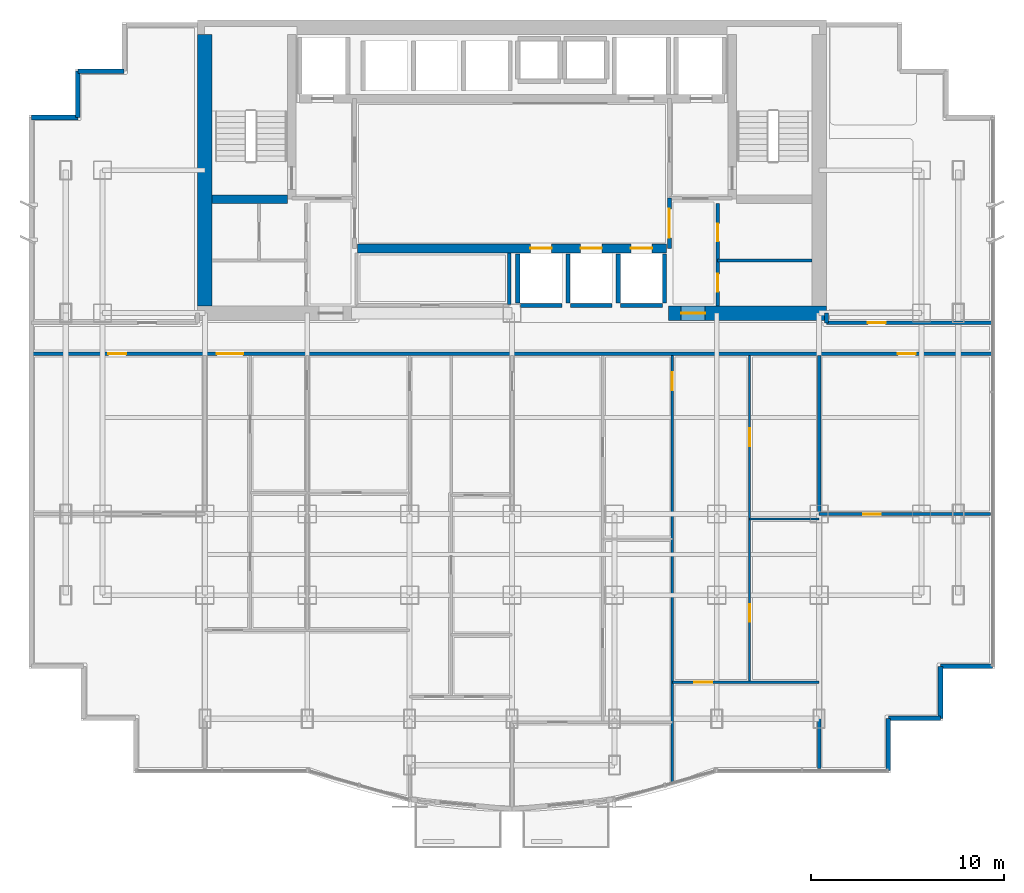
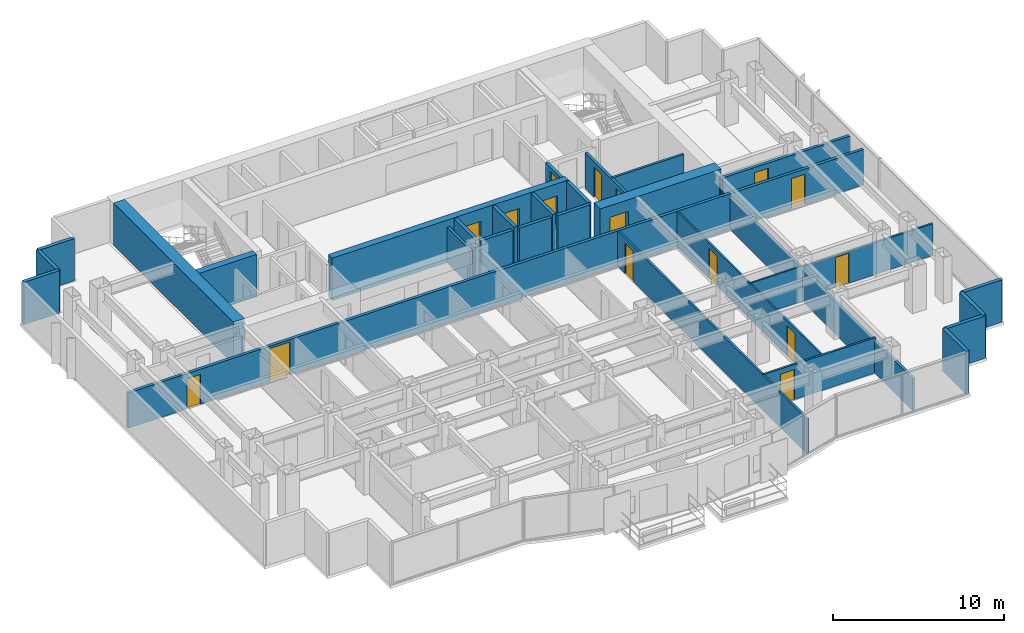
# One storey, part 8 of 11: 31 walls, 16 doors, 16 openings.
"""IFC4 building model written with IfcOpenShell, lengths in metres."""

from ifc_helpers import new_model, si_unit, direction, frame, frame_2d, origin, place, context, subcontext, project, spatial, rectangle, extrude, material, layer, layer_set, type_object, element, fill, save


model = new_model("IFC4")

# Units and contexts
model_context = context("Model", 3, precision=1e-05, world=origin(), true_north=direction((0.0, 1.0)))
body_context = subcontext(model_context, "Body", "Model", "MODEL_VIEW")
ifc_project = project(units=[si_unit("LENGTHUNIT", "METRE"), si_unit("AREAUNIT", "SQUARE_METRE"), si_unit("VOLUMEUNIT", "CUBIC_METRE"), si_unit("PLANEANGLEUNIT", "RADIAN"), si_unit("MASSUNIT", "GRAM", prefix="KILO")], contexts=[model_context])

# Site, building, storey
site_placement = place(None, origin())
site = spatial("IfcSite", under=ifc_project, at=site_placement, CompositionType="ELEMENT")
building_placement = place(site_placement, origin())
building = spatial("IfcBuilding", under=site, at=building_placement, Name="Qianlan Lanfeng Residences", CompositionType="ELEMENT")
storey_placement = place(building_placement, frame((0.0, 0.0, 124.60009765625)))
storey = spatial("IfcBuildingStorey", under=building, at=storey_placement, Name="L34", CompositionType="ELEMENT", Elevation=124.60009765625)

# Wall
ifc_material_1 = material(Name="Concrete C60", Category="concrete")
ifc_layer_1 = layer(ifc_material_1, 0.449951171875)
ifc_layer_set_1 = layer_set([ifc_layer_1], Name="Concrete C60")
wall_type_1 = type_object("IfcWallType", Name="CW-RC-450", PredefinedType="SHEAR", material=ifc_layer_set_1)
wall_1_placement = place(storey_placement, frame((10.97509765625, 31.10009765625, 0.0), z_axis=(0.0, 0.0, 1.0), x_axis=(1.0, 0.0, 0.0)))
element("IfcWall", 1, at=wall_1_placement, inside=storey, type_object=wall_type_1, Name="L34 Core Shear Wall ST1S", PredefinedType="SHEAR", context=body_context, shape_type="SweptSolid", body=[
    extrude(rectangle(XDim=3.89990234375, YDim=0.449951171875, at=frame_2d((1.949951171875, 0.0))), origin(), (0.0, 0.0, 1.0), 3.02978515625),
])

# Wall, openings, doors
wall_2_placement = place(storey_placement, frame((18.5, 28.550048828125, 0.0), z_axis=(0.0, 0.0, 1.0), x_axis=(1.0, 0.0, 0.0)))
wall_2 = element("IfcWall", 2, at=wall_2_placement, inside=storey, type_object=wall_type_1, Name="L34 Core Shear Wall LBS", PredefinedType="SHEAR", context=body_context, shape_type="SweptSolid", body=[
    extrude(rectangle(XDim=16.0, YDim=0.449951171875, at=frame_2d((8.0, 0.0))), origin(), (0.0, 0.0, 1.0), 3.02978515625),
])
opening_1_placement = place(wall_2_placement, frame((8.949951171875, 0.0, 0.0)))
opening_1 = element("IfcOpeningElement", 3, at=opening_1_placement, cuts=wall_2, Name="Opening L34-LD-PL-M1", PredefinedType="OPENING", context=body_context, shape_type="SweptSolid", body=[
    extrude(rectangle(XDim=1.10009765625, YDim=2.14990234375, at=frame_2d((0.550048828125, 1.074951171875))), frame((0.0, 0.23486328125, 0.0), z_axis=(0.0, -1.0, 0.0), x_axis=(1.0, 0.0, 0.0)), (0.0, 0.0, 1.0), 0.469970703125),
])
opening_2_placement = place(wall_2_placement, frame((11.550048828125, 0.0, 0.0)))
opening_2 = element("IfcOpeningElement", 4, at=opening_2_placement, cuts=wall_2, Name="Opening L34-LD-PL-M2", PredefinedType="OPENING", context=body_context, shape_type="SweptSolid", body=[
    extrude(rectangle(XDim=1.10009765625, YDim=2.14990234375, at=frame_2d((0.550048828125, 1.074951171875))), frame((0.0, 0.23486328125, 0.0), z_axis=(0.0, -1.0, 0.0), x_axis=(1.0, 0.0, 0.0)), (0.0, 0.0, 1.0), 0.469970703125),
])
opening_3_placement = place(wall_2_placement, frame((14.14990234375, 0.0, 0.0)))
opening_3 = element("IfcOpeningElement", 5, at=opening_3_placement, cuts=wall_2, Name="Opening L34-LD-PL-M3", PredefinedType="OPENING", context=body_context, shape_type="SweptSolid", body=[
    extrude(rectangle(XDim=1.10009765625, YDim=2.14990234375, at=frame_2d((0.550048828125, 1.074951171875))), frame((0.0, 0.23486328125, 0.0), z_axis=(0.0, -1.0, 0.0), x_axis=(1.0, 0.0, 0.0)), (0.0, 0.0, 1.0), 0.469970703125),
])
ifc_material_2 = material(Name="Brushed Stainless Steel Sliding Lift Door", Category="steel")
door_type_1 = type_object("IfcDoorType", Name="LD-01", OperationType="NOTDEFINED", PredefinedType="DOOR", material=ifc_material_2)
door_1_placement = place(opening_1_placement, origin())
door_1 = element("IfcDoor", 6, at=door_1_placement, inside=storey, type_object=door_type_1, Name="L34 Elevator PL-M1 Sliding Landing Door", OperationType="DOUBLE_DOOR_SLIDING", OverallHeight=2.14990234375, OverallWidth=1.10009765625, PredefinedType="DOOR", context=body_context, shape_type="SweptSolid", body=[
    extrude(rectangle(XDim=1.10009765625, YDim=2.14990234375, at=frame_2d((0.550048828125, 1.074951171875))), frame((0.0, 0.02490234375, 0.0), z_axis=(0.0, -1.0, 0.0), x_axis=(1.0, 0.0, 0.0)), (0.0, 0.0, 1.0), 0.050048828125),
])
fill(opening_1, door_1)
door_2_placement = place(opening_2_placement, origin())
door_2 = element("IfcDoor", 7, at=door_2_placement, inside=storey, type_object=door_type_1, Name="L34 Elevator PL-M2 Sliding Landing Door", OperationType="DOUBLE_DOOR_SLIDING", OverallHeight=2.14990234375, OverallWidth=1.10009765625, PredefinedType="DOOR", context=body_context, shape_type="SweptSolid", body=[
    extrude(rectangle(XDim=1.10009765625, YDim=2.14990234375, at=frame_2d((0.550048828125, 1.074951171875))), frame((0.0, 0.02490234375, 0.0), z_axis=(0.0, -1.0, 0.0), x_axis=(1.0, 0.0, 0.0)), (0.0, 0.0, 1.0), 0.050048828125),
])
fill(opening_2, door_2)
door_3_placement = place(opening_3_placement, origin())
door_3 = element("IfcDoor", 8, at=door_3_placement, inside=storey, type_object=door_type_1, Name="L34 Elevator PL-M3 Sliding Landing Door", OperationType="DOUBLE_DOOR_SLIDING", OverallHeight=2.14990234375, OverallWidth=1.10009765625, PredefinedType="DOOR", context=body_context, shape_type="SweptSolid", body=[
    extrude(rectangle(XDim=1.10009765625, YDim=2.14990234375, at=frame_2d((0.550048828125, 1.074951171875))), frame((0.0, 0.02490234375, 0.0), z_axis=(0.0, -1.0, 0.0), x_axis=(1.0, 0.0, 0.0)), (0.0, 0.0, 1.0), 0.050048828125),
])
fill(opening_3, door_3)

# Wall
ifc_layer_2 = layer(ifc_material_1, 0.75)
ifc_layer_set_2 = layer_set([ifc_layer_2], Name="Concrete C60")
wall_type_2 = type_object("IfcWallType", Name="CW-RC-750", PredefinedType="SHEAR", material=ifc_layer_set_2)
wall_3_placement = place(storey_placement, frame((10.60009765625, 25.574951171875, 0.0), z_axis=(0.0, 0.0, 1.0), x_axis=(0.0, 1.0, 0.0)))
element("IfcWall", 9, at=wall_3_placement, inside=storey, type_object=wall_type_2, Name="L34 Core Shear Wall W", PredefinedType="SHEAR", context=body_context, shape_type="SweptSolid", body=[
    extrude(rectangle(XDim=14.050048828125, YDim=0.75, at=frame_2d((7.02490234375, 0.0))), origin(), (0.0, 0.0, 1.0), 3.02978515625),
])

# Wall, opening, door
wall_4_placement = place(storey_placement, frame((34.60009765625, 25.199951171875, 0.0), z_axis=(0.0, 0.0, 1.0), x_axis=(1.0, 0.0, 0.0)))
wall_4 = element("IfcWall", 10, at=wall_4_placement, inside=storey, type_object=wall_type_2, Name="L34 Core Shear Wall SE", PredefinedType="SHEAR", context=body_context, shape_type="SweptSolid", body=[
    extrude(rectangle(XDim=8.1748046875, YDim=0.75, at=frame_2d((4.08740234375, 0.0))), origin(), (0.0, 0.0, 1.0), 3.02978515625),
])
opening_4_placement = place(wall_4_placement, frame((0.64990234375, 0.0, 0.0)))
opening_4 = element("IfcOpeningElement", 11, at=opening_4_placement, cuts=wall_4, Name="Opening L34-D02", PredefinedType="OPENING", context=body_context, shape_type="SweptSolid", body=[
    extrude(rectangle(XDim=1.25, YDim=2.199951171875, at=frame_2d((0.625, 1.10009765625))), frame((0.0, 0.385009765625, 0.0), z_axis=(0.0, -1.0, 0.0), x_axis=(1.0, 0.0, 0.0)), (0.0, 0.0, 1.0), 0.77001953125),
])
ifc_material_3 = material(Name="Painted Galvanised Steel Fire Door", Category="steel")
door_type_2 = type_object("IfcDoorType", Name="DT-FFL", OperationType="NOTDEFINED", PredefinedType="DOOR", material=ifc_material_3)
door_4_placement = place(opening_4_placement, frame((1.25, 0.0, 0.0), z_axis=(0.0, 0.0, 1.0), x_axis=(-1.0, 0.0, 0.0)))
door_4 = element("IfcDoor", 12, at=door_4_placement, inside=storey, type_object=door_type_2, Name="L34 East Core Lobby Smoke Door L34-D02 (DT-FFL)", OperationType="SINGLE_SWING_LEFT", OverallHeight=2.199951171875, OverallWidth=1.25, PredefinedType="DOOR", context=body_context, shape_type="SweptSolid", body=[
    extrude(rectangle(XDim=1.25, YDim=2.199951171875, at=frame_2d((0.625, 1.10009765625))), frame((0.0, 0.02490234375, 0.0), z_axis=(0.0, -1.0, 0.0), x_axis=(1.0, 0.0, 0.0)), (0.0, 0.0, 1.0), 0.050048828125),
])
fill(opening_4, door_4)

# Walls
ifc_material_4 = material(Name="Concrete C42", Category="concrete")
ifc_layer_3 = layer(ifc_material_4, 0.239990234375)
ifc_layer_set_3 = layer_set([ifc_layer_3], Name="Concrete C42")
wall_type_3 = type_object("IfcWallType", Name="EW-240", PredefinedType="SOLIDWALL", material=ifc_layer_set_3)
for number, where, z_axis, x_axis, name in (
    (13, (45.97998046875, 1.52001953125, 0.0), (0.0, 0.0, 1.0), (0.0, 1.0, 0.0), "L34 Exterior Facade Spandrel Wall 7"),
    (14, (45.97998046875, 4.219970703125, 0.0), (0.0, 0.0, 1.0), (1.0, 0.0, 0.0), "L34 Exterior Facade Spandrel Wall 8"),
    (15, (48.679931640625, 4.219970703125, 0.0), (0.0, 0.0, 1.0), (0.0, 1.0, 0.0), "L34 Exterior Facade Spandrel Wall 9"),
    (16, (48.679931640625, 6.919921875, 0.0), (0.0, 0.0, 1.0), (1.0, 0.0, 0.0), "L34 Exterior Facade Spandrel Wall 10"),
):
    element("IfcWall", number, at=place(storey_placement, frame(where, z_axis=z_axis, x_axis=x_axis)), inside=storey, type_object=wall_type_3, Name=name, PredefinedType="SOLIDWALL", context=body_context, shape_type="SweptSolid", body=[
        extrude(rectangle(XDim=2.699951171875, YDim=0.239990234375, at=frame_2d((1.35009765625, 0.0))), origin(), (0.0, 0.0, 1.0), 3.02978515625),
    ])
for number, where, z_axis, x_axis, name in (
    (17, (6.419921875, 37.72998046875, 0.0), (0.0, 0.0, 1.0), (-1.0, 0.0, 0.0), "L34 Exterior Facade Spandrel Wall 18"),
    (18, (4.02001953125, 37.72998046875, 0.0), (0.0, 0.0, 1.0), (0.0, -1.0, 0.0), "L34 Exterior Facade Spandrel Wall 19"),
    (19, (4.02001953125, 35.330078125, 0.0), (0.0, 0.0, 1.0), (-1.0, 0.0, 0.0), "L34 Exterior Facade Spandrel Wall 20"),
):
    element("IfcWall", number, at=place(storey_placement, frame(where, z_axis=z_axis, x_axis=x_axis)), inside=storey, type_object=wall_type_3, Name=name, PredefinedType="SOLIDWALL", context=body_context, shape_type="SweptSolid", body=[
        extrude(rectangle(XDim=2.39990234375, YDim=0.239990234375, at=frame_2d((1.199951171875, 0.0))), origin(), (0.0, 0.0, 1.0), 3.02978515625),
    ])

# Wall, openings, doors
ifc_material_5 = material(Name="Demountable Acoustic Framing Partition 110 mm")
ifc_layer_4 = layer(ifc_material_5, 0.110107421875)
ifc_layer_set_4 = layer_set([ifc_layer_4], Name="Demountable Acoustic Framing Partition 110 mm")
wall_type_4 = type_object("IfcWallType", Name="PW-110", PredefinedType="MOVABLE", material=ifc_layer_set_4)
wall_5_placement = place(storey_placement, frame((38.800048828125, 6.093994140625, 0.0), z_axis=(0.0, 0.0, 1.0), x_axis=(0.0, 1.0, 0.0)))
wall_5 = element("IfcWall", 20, at=wall_5_placement, inside=storey, type_object=wall_type_4, Name="L34 U01 Bedroom 4 Hall Wall", PredefinedType="MOVABLE", context=body_context, shape_type="SweptSolid", body=[
    extrude(rectangle(XDim=16.906005859375, YDim=0.110107421875, at=frame_2d((8.453125, 0.0))), origin(), (0.0, 0.0, 1.0), 2.52001953125),
])
opening_5_placement = place(wall_5_placement, frame((3.116943359375, 0.0, 0.0)))
opening_5 = element("IfcOpeningElement", 21, at=opening_5_placement, cuts=wall_5, Name="Opening L34-D34", PredefinedType="OPENING", context=body_context, shape_type="SweptSolid", body=[
    extrude(rectangle(XDim=0.919921875, YDim=2.14990234375, at=frame_2d((0.4599609375, 1.074951171875))), frame((0.0, 0.06494140625, 0.0), z_axis=(0.0, -1.0, 0.0), x_axis=(1.0, 0.0, 0.0)), (0.0, 0.0, 1.0), 0.130126953125),
])
opening_6_placement = place(wall_5_placement, frame((12.219970703125, 0.0, 0.0)))
opening_6 = element("IfcOpeningElement", 22, at=opening_6_placement, cuts=wall_5, Name="Opening L34-D35", PredefinedType="OPENING", context=body_context, shape_type="SweptSolid", body=[
    extrude(rectangle(XDim=0.919921875, YDim=2.14990234375, at=frame_2d((0.4599609375, 1.074951171875))), frame((0.0, 0.06494140625, 0.0), z_axis=(0.0, -1.0, 0.0), x_axis=(1.0, 0.0, 0.0)), (0.0, 0.0, 1.0), 0.130126953125),
])
ifc_material_6 = material(Name="Glazed Timber Kitchen/Study Door", Category="wood")
door_type_3 = type_object("IfcDoorType", Name="DT-INT", OperationType="NOTDEFINED", PredefinedType="DOOR", material=ifc_material_6)
door_5_placement = place(opening_5_placement, origin())
door_5 = element("IfcDoor", 23, at=door_5_placement, inside=storey, type_object=door_type_3, Name="L34 U01 Utility Door L34-D34 (DT-INT)", OperationType="SINGLE_SWING_LEFT", OverallHeight=2.14990234375, OverallWidth=0.919921875, PredefinedType="DOOR", context=body_context, shape_type="SweptSolid", body=[
    extrude(rectangle(XDim=0.919921875, YDim=2.14990234375, at=frame_2d((0.4599609375, 1.074951171875))), frame((0.0, 0.02490234375, 0.0), z_axis=(0.0, -1.0, 0.0), x_axis=(1.0, 0.0, 0.0)), (0.0, 0.0, 1.0), 0.050048828125),
])
fill(opening_5, door_5)
door_6_placement = place(opening_6_placement, origin())
door_6 = element("IfcDoor", 24, at=door_6_placement, inside=storey, type_object=door_type_3, Name="L34 U01 Specialty Door L34-D35 (DT-INT)", OperationType="SINGLE_SWING_RIGHT", OverallHeight=2.14990234375, OverallWidth=0.919921875, PredefinedType="DOOR", context=body_context, shape_type="SweptSolid", body=[
    extrude(rectangle(XDim=0.919921875, YDim=2.14990234375, at=frame_2d((0.4599609375, 1.074951171875))), frame((0.0, 0.02490234375, 0.0), z_axis=(0.0, -1.0, 0.0), x_axis=(1.0, 0.0, 0.0)), (0.0, 0.0, 1.0), 0.050048828125),
])
fill(opening_6, door_6)

# Wall
wall_6_placement = place(storey_placement, frame((38.800048828125, 14.547119140625, 0.0), z_axis=(0.0, 0.0, 1.0), x_axis=(1.0, 0.0, 0.0)))
element("IfcWall", 25, at=wall_6_placement, inside=storey, type_object=wall_type_4, Name="L34 U01 Specialty Split Wall", PredefinedType="MOVABLE", context=body_context, shape_type="SweptSolid", body=[
    extrude(rectangle(XDim=3.599853515625, YDim=0.110107421875, at=frame_2d((1.7998046875, 0.0))), origin(), (0.0, 0.0, 1.0), 2.52001953125),
])

# Wall, opening, door
ifc_material_7 = material(Name="Moisture-Resistant Gypsum Partition 135 mm")
ifc_layer_5 = layer(ifc_material_7, 0.135009765625)
ifc_layer_set_5 = layer_set([ifc_layer_5], Name="Moisture-Resistant Gypsum Partition 135 mm")
wall_type_5 = type_object("IfcWallType", Name="PW-135", PredefinedType="PARTITIONING", material=ifc_layer_set_5)
wall_7_placement = place(storey_placement, frame((34.800048828125, 0.866943359375, 0.0), z_axis=(0.0, 0.0, 1.0), x_axis=(0.0, 1.0, 0.0)))
wall_7 = element("IfcWall", 26, at=wall_7_placement, inside=storey, type_object=wall_type_5, Name="L34 U01 Bay Spine Wall 4", PredefinedType="PARTITIONING", context=body_context, shape_type="SweptSolid", body=[
    extrude(rectangle(XDim=22.133056640625, YDim=0.135009765625, at=frame_2d((11.06640625, 0.0))), origin(), (0.0, 0.0, 1.0), 2.52001953125),
])
opening_7_placement = place(wall_7_placement, frame((20.347900390625, 0.0, 0.0)))
opening_7 = element("IfcOpeningElement", 27, at=opening_7_placement, cuts=wall_7, Name="Opening L34-D21", PredefinedType="OPENING", context=body_context, shape_type="SweptSolid", body=[
    extrude(rectangle(XDim=0.919921875, YDim=2.14990234375, at=frame_2d((0.4599609375, 1.074951171875))), frame((0.0, 0.07763671875, 0.0), z_axis=(0.0, -1.0, 0.0), x_axis=(1.0, 0.0, 0.0)), (0.0, 0.0, 1.0), 0.155029296875),
])
door_7_placement = place(opening_7_placement, origin())
door_7 = element("IfcDoor", 28, at=door_7_placement, inside=storey, type_object=door_type_3, Name="L34 U01 Internal Hall Door L34-D21 (DT-INT)", OperationType="SINGLE_SWING_RIGHT", OverallHeight=2.14990234375, OverallWidth=0.919921875, PredefinedType="DOOR", context=body_context, shape_type="SweptSolid", body=[
    extrude(rectangle(XDim=0.919921875, YDim=2.14990234375, at=frame_2d((0.4599609375, 1.074951171875))), frame((0.0, 0.02490234375, 0.0), z_axis=(0.0, -1.0, 0.0), x_axis=(1.0, 0.0, 0.0)), (0.0, 0.0, 1.0), 0.050048828125),
])
fill(opening_7, door_7)

wall_8_placement = place(storey_placement, frame((34.800048828125, 6.093994140625, 0.0), z_axis=(0.0, 0.0, 1.0), x_axis=(1.0, 0.0, 0.0)))
wall_8 = element("IfcWall", 29, at=wall_8_placement, inside=storey, type_object=wall_type_5, Name="L34 U01 Bedroom 4 North Wall", PredefinedType="PARTITIONING", context=body_context, shape_type="SweptSolid", body=[
    extrude(rectangle(XDim=7.599853515625, YDim=0.135009765625, at=frame_2d((3.7998046875, 0.0))), origin(), (0.0, 0.0, 1.0), 2.52001953125),
])
opening_8_placement = place(wall_8_placement, frame((1.125, 0.0, 0.0)))
opening_8 = element("IfcOpeningElement", 30, at=opening_8_placement, cuts=wall_8, Name="Opening L34-D33", PredefinedType="OPENING", context=body_context, shape_type="SweptSolid", body=[
    extrude(rectangle(XDim=0.949951171875, YDim=2.14990234375, at=frame_2d((0.47509765625, 1.074951171875))), frame((0.0, 0.07763671875, 0.0), z_axis=(0.0, -1.0, 0.0), x_axis=(1.0, 0.0, 0.0)), (0.0, 0.0, 1.0), 0.155029296875),
])
ifc_material_8 = material(Name="Painted Solid-Core Timber Leaf", Category="wood")
door_type_4 = type_object("IfcDoorType", Name="DT-BED", OperationType="NOTDEFINED", PredefinedType="DOOR", material=ifc_material_8)
door_8_placement = place(opening_8_placement, origin())
door_8 = element("IfcDoor", 31, at=door_8_placement, inside=storey, type_object=door_type_4, Name="L34 U01 Bedroom 4 Door L34-D33 (DT-BED)", OperationType="SINGLE_SWING_RIGHT", OverallHeight=2.14990234375, OverallWidth=0.949951171875, PredefinedType="DOOR", context=body_context, shape_type="SweptSolid", body=[
    extrude(rectangle(XDim=0.949951171875, YDim=2.14990234375, at=frame_2d((0.47509765625, 1.074951171875))), frame((0.0, 0.02490234375, 0.0), z_axis=(0.0, -1.0, 0.0), x_axis=(1.0, 0.0, 0.0)), (0.0, 0.0, 1.0), 0.050048828125),
])
fill(opening_8, door_8)

wall_9_placement = place(storey_placement, frame((42.39990234375, 14.800048828125, 0.0), z_axis=(0.0, 0.0, 1.0), x_axis=(1.0, 0.0, 0.0)))
wall_9 = element("IfcWall", 32, at=wall_9_placement, inside=storey, type_object=wall_type_5, Name="L34 SEP Mid Partition", PredefinedType="PARTITIONING", context=body_context, shape_type="SweptSolid", body=[
    extrude(rectangle(XDim=8.880126953125, YDim=0.135009765625, at=frame_2d((4.43994140625, 0.0))), origin(), (0.0, 0.0, 1.0), 2.27490234375),
])
opening_9_placement = place(wall_9_placement, frame((2.280029296875, 0.0, 0.0)))
opening_9 = element("IfcOpeningElement", 33, at=opening_9_placement, cuts=wall_9, Name="Opening L34-D38", PredefinedType="OPENING", context=body_context, shape_type="SweptSolid", body=[
    extrude(rectangle(XDim=0.919921875, YDim=2.14990234375, at=frame_2d((0.4599609375, 1.074951171875))), frame((0.0, 0.07763671875, 0.0), z_axis=(0.0, -1.0, 0.0), x_axis=(1.0, 0.0, 0.0)), (0.0, 0.0, 1.0), 0.155029296875),
])
door_9_placement = place(opening_9_placement, origin())
door_9 = element("IfcDoor", 34, at=door_9_placement, inside=storey, type_object=door_type_3, Name="L34 SEP Inner Door L34-D38 (DT-INT)", OperationType="SINGLE_SWING_LEFT", OverallHeight=2.14990234375, OverallWidth=0.919921875, PredefinedType="DOOR", context=body_context, shape_type="SweptSolid", body=[
    extrude(rectangle(XDim=0.919921875, YDim=2.14990234375, at=frame_2d((0.4599609375, 1.074951171875))), frame((0.0, 0.02490234375, 0.0), z_axis=(0.0, -1.0, 0.0), x_axis=(1.0, 0.0, 0.0)), (0.0, 0.0, 1.0), 0.050048828125),
])
fill(opening_9, door_9)

# Wall
ifc_material_9 = material(Name="Acoustic Drywall Partition 150 mm")
ifc_layer_6 = layer(ifc_material_9, 0.14990234375)
ifc_layer_set_6 = layer_set([ifc_layer_6], Name="Acoustic Drywall Partition 150 mm")
wall_type_6 = type_object("IfcWallType", Name="PW-150", PredefinedType="PARTITIONING", material=ifc_layer_set_6)
wall_10_placement = place(storey_placement, frame((37.14990234375, 27.925048828125, 0.0), z_axis=(0.0, 0.0, 1.0), x_axis=(1.0, 0.0, 0.0)))
element("IfcWall", 35, at=wall_10_placement, inside=storey, type_object=wall_type_6, Name="L34 Core East H4", PredefinedType="PARTITIONING", context=body_context, shape_type="SweptSolid", body=[
    extrude(rectangle(XDim=4.875, YDim=0.14990234375, at=frame_2d((2.4375, 0.0))), origin(), (0.0, 0.0, 1.0), 2.52001953125),
])

# Wall, openings, doors
ifc_material_10 = material(Name="Double-Layer Acoustic Gypsum Stud Wall 180 mm")
ifc_layer_7 = layer(ifc_material_10, 0.179931640625)
ifc_layer_set_7 = layer_set([ifc_layer_7], Name="Double-Layer Acoustic Gypsum Stud Wall 180 mm")
wall_type_7 = type_object("IfcWallType", Name="PW-180", PredefinedType="PARTITIONING", material=ifc_layer_set_7)
wall_11_placement = place(storey_placement, frame((37.14990234375, 25.574951171875, 0.0), z_axis=(0.0, 0.0, 1.0), x_axis=(0.0, 1.0, 0.0)))
wall_11 = element("IfcWall", 36, at=wall_11_placement, inside=storey, type_object=wall_type_7, Name="L34 Core East Service Room Wall", PredefinedType="PARTITIONING", context=body_context, shape_type="SweptSolid", body=[
    extrude(rectangle(XDim=5.300048828125, YDim=0.179931640625, at=frame_2d((2.64990234375, 0.0))), origin(), (0.0, 0.0, 1.0), 2.52001953125),
])
opening_10_placement = place(wall_11_placement, frame((0.739990234375, 0.0, 0.0)))
opening_10 = element("IfcOpeningElement", 37, at=opening_10_placement, cuts=wall_11, Name="Opening L34-D12", PredefinedType="OPENING", context=body_context, shape_type="SweptSolid", body=[
    extrude(rectangle(XDim=0.919921875, YDim=2.14990234375, at=frame_2d((0.4599609375, 1.074951171875))), frame((0.0, 0.10009765625, 0.0), z_axis=(0.0, -1.0, 0.0), x_axis=(1.0, 0.0, 0.0)), (0.0, 0.0, 1.0), 0.199951171875),
])
opening_11_placement = place(wall_11_placement, frame((3.340087890625, 0.0, 0.0)))
opening_11 = element("IfcOpeningElement", 38, at=opening_11_placement, cuts=wall_11, Name="Opening L34-D13", PredefinedType="OPENING", context=body_context, shape_type="SweptSolid", body=[
    extrude(rectangle(XDim=0.919921875, YDim=2.14990234375, at=frame_2d((0.4599609375, 1.074951171875))), frame((0.0, 0.10009765625, 0.0), z_axis=(0.0, -1.0, 0.0), x_axis=(1.0, 0.0, 0.0)), (0.0, 0.0, 1.0), 0.199951171875),
])
door_10_placement = place(opening_10_placement, origin())
door_10 = element("IfcDoor", 39, at=door_10_placement, inside=storey, type_object=door_type_3, Name="L34 Mail Closet Door L34-D12 (DT-INT)", OperationType="SINGLE_SWING_LEFT", OverallHeight=2.14990234375, OverallWidth=0.919921875, PredefinedType="DOOR", context=body_context, shape_type="SweptSolid", body=[
    extrude(rectangle(XDim=0.919921875, YDim=2.14990234375, at=frame_2d((0.4599609375, 1.074951171875))), frame((0.0, 0.02490234375, 0.0), z_axis=(0.0, -1.0, 0.0), x_axis=(1.0, 0.0, 0.0)), (0.0, 0.0, 1.0), 0.050048828125),
])
fill(opening_10, door_10)
door_11_placement = place(opening_11_placement, origin())
door_11 = element("IfcDoor", 40, at=door_11_placement, inside=storey, type_object=door_type_3, Name="L34 Refuse Closet Door L34-D13 (DT-INT)", OperationType="SINGLE_SWING_RIGHT", OverallHeight=2.14990234375, OverallWidth=0.919921875, PredefinedType="DOOR", context=body_context, shape_type="SweptSolid", body=[
    extrude(rectangle(XDim=0.919921875, YDim=2.14990234375, at=frame_2d((0.4599609375, 1.074951171875))), frame((0.0, 0.02490234375, 0.0), z_axis=(0.0, -1.0, 0.0), x_axis=(1.0, 0.0, 0.0)), (0.0, 0.0, 1.0), 0.050048828125),
])
fill(opening_11, door_11)

# Walls
wall_12_placement = place(storey_placement, frame((26.35009765625, 25.6201171875, 0.0), z_axis=(0.0, 0.0, 1.0), x_axis=(0.0, 1.0, 0.0)))
element("IfcWall", 41, at=wall_12_placement, inside=storey, type_object=wall_type_7, Name="L34 Reclaimed Low-Bank Room East Wall", PredefinedType="PARTITIONING", context=body_context, shape_type="SweptSolid", body=[
    extrude(rectangle(XDim=2.704833984375, YDim=0.179931640625, at=frame_2d((1.3525390625, 0.0))), origin(), (0.0, 0.0, 1.0), 2.52001953125),
])
wall_13_placement = place(storey_placement, frame((42.39990234375, 1.6201171875, 0.0), z_axis=(0.0, 0.0, 1.0), x_axis=(0.0, 1.0, 0.0)))
element("IfcWall", 42, at=wall_13_placement, inside=storey, type_object=wall_type_7, Name="L34 Wing Boundary Party Wall E0", PredefinedType="PARTITIONING", context=body_context, shape_type="SweptSolid", body=[
    extrude(rectangle(XDim=21.3798828125, YDim=0.179931640625, at=frame_2d((10.68994140625, 0.0))), origin(), (0.0, 0.0, 1.0), 2.27490234375),
])

# Wall, opening, door
ifc_material_11 = material(Name="Autoclaved Aerated Concrete Blockwork 200 mm", Category="masonry")
ifc_layer_8 = layer(ifc_material_11, 0.199951171875)
ifc_layer_set_8 = layer_set([ifc_layer_8], Name="Autoclaved Aerated Concrete Blockwork 200 mm")
wall_type_8 = type_object("IfcWallType", Name="PW-200", PredefinedType="PARTITIONING", material=ifc_layer_set_8)
wall_14_placement = place(storey_placement, frame((34.64990234375, 28.550048828125, 0.0), z_axis=(0.0, 0.0, 1.0), x_axis=(0.0, 1.0, 0.0)))
wall_14 = element("IfcWall", 43, at=wall_14_placement, inside=storey, type_object=wall_type_8, Name="L34 Lift Lobby East Connector Wall", PredefinedType="PARTITIONING", context=body_context, shape_type="SweptSolid", body=[
    extrude(rectangle(XDim=2.599853515625, YDim=0.199951171875, at=frame_2d((1.2998046875, 0.0))), origin(), (0.0, 0.0, 1.0), 2.52001953125),
])
opening_12_placement = place(wall_14_placement, frame((0.550048828125, 0.0, 0.0)))
opening_12 = element("IfcOpeningElement", 44, at=opening_12_placement, cuts=wall_14, Name="Opening L34-D15", PredefinedType="OPENING", context=body_context, shape_type="SweptSolid", body=[
    extrude(rectangle(XDim=1.5, YDim=2.25, at=frame_2d((0.75, 1.125))), frame((0.0, 0.10986328125, 0.0), z_axis=(0.0, -1.0, 0.0), x_axis=(1.0, 0.0, 0.0)), (0.0, 0.0, 1.0), 0.219970703125),
])
ifc_material_12 = material(Name="Timber Veneer Acoustic Fire Door", Category="wood")
door_type_5 = type_object("IfcDoorType", Name="DT-COR1", OperationType="NOTDEFINED", PredefinedType="DOOR", material=ifc_material_12)
door_12_placement = place(opening_12_placement, frame((1.5, 0.0, 0.0), z_axis=(0.0, 0.0, 1.0), x_axis=(-1.0, 0.0, 0.0)))
door_12 = element("IfcDoor", 45, at=door_12_placement, inside=storey, type_object=door_type_5, Name="L34 Lift Lobby East Portal Door L34-D15 (DT-COR1)", OperationType="DOUBLE_DOOR_SINGLE_SWING", OverallHeight=2.25, OverallWidth=1.5, PredefinedType="DOOR", context=body_context, shape_type="SweptSolid", body=[
    extrude(rectangle(XDim=1.5, YDim=2.25, at=frame_2d((0.75, 1.125))), frame((0.0, 0.02490234375, 0.0), z_axis=(0.0, -1.0, 0.0), x_axis=(1.0, 0.0, 0.0)), (0.0, 0.0, 1.0), 0.050048828125),
])
fill(opening_12, door_12)

# Wall, openings, doors
wall_15_placement = place(storey_placement, frame((1.6201171875, 23.10009765625, 0.0), z_axis=(0.0, 0.0, 1.0), x_axis=(1.0, 0.0, 0.0)))
wall_15 = element("IfcWall", 46, at=wall_15_placement, inside=storey, type_object=wall_type_8, Name="L34 Residential Corridor South Fire Wall", PredefinedType="PARTITIONING", context=body_context, shape_type="SweptSolid", body=[
    extrude(rectangle(XDim=49.759765625, YDim=0.199951171875, at=frame_2d((24.8798828125, 0.0))), origin(), (0.0, 0.0, 1.0), 2.52001953125),
])
opening_13_placement = place(wall_15_placement, frame((9.60498046875, 0.0, 0.0)))
opening_13 = element("IfcOpeningElement", 47, at=opening_13_placement, cuts=wall_15, Name="Opening L34-D17", PredefinedType="OPENING", context=body_context, shape_type="SweptSolid", body=[
    extrude(rectangle(XDim=1.35009765625, YDim=2.35009765625, at=frame_2d((0.675048828125, 1.175048828125))), frame((0.0, 0.10986328125, 0.0), z_axis=(0.0, -1.0, 0.0), x_axis=(1.0, 0.0, 0.0)), (0.0, 0.0, 1.0), 0.219970703125),
])
opening_14_placement = place(wall_15_placement, frame((3.985107421875, 0.0, 0.0)))
opening_14 = element("IfcOpeningElement", 48, at=opening_14_placement, cuts=wall_15, Name="Opening L34-D37", PredefinedType="OPENING", context=body_context, shape_type="SweptSolid", body=[
    extrude(rectangle(XDim=0.919921875, YDim=2.14990234375, at=frame_2d((0.4599609375, 1.074951171875))), frame((0.0, 0.10986328125, 0.0), z_axis=(0.0, -1.0, 0.0), x_axis=(1.0, 0.0, 0.0)), (0.0, 0.0, 1.0), 0.219970703125),
])
opening_15_placement = place(wall_15_placement, frame((44.85498046875, 0.0, 0.0)))
opening_15 = element("IfcOpeningElement", 49, at=opening_15_placement, cuts=wall_15, Name="Opening L34-D39", PredefinedType="OPENING", context=body_context, shape_type="SweptSolid", body=[
    extrude(rectangle(XDim=0.919921875, YDim=2.14990234375, at=frame_2d((0.4599609375, 1.074951171875))), frame((0.0, 0.10986328125, 0.0), z_axis=(0.0, -1.0, 0.0), x_axis=(1.0, 0.0, 0.0)), (0.0, 0.0, 1.0), 0.219970703125),
])
door_13_placement = place(opening_14_placement, origin())
door_13 = element("IfcDoor", 50, at=door_13_placement, inside=storey, type_object=door_type_3, Name="L34 SWP Corridor Door L34-D37 (DT-INT)", OperationType="SINGLE_SWING_RIGHT", OverallHeight=2.14990234375, OverallWidth=0.919921875, PredefinedType="DOOR", context=body_context, shape_type="SweptSolid", body=[
    extrude(rectangle(XDim=0.919921875, YDim=2.14990234375, at=frame_2d((0.4599609375, 1.074951171875))), frame((0.0, 0.02490234375, 0.0), z_axis=(0.0, -1.0, 0.0), x_axis=(1.0, 0.0, 0.0)), (0.0, 0.0, 1.0), 0.050048828125),
])
fill(opening_14, door_13)
door_14_placement = place(opening_15_placement, origin())
door_14 = element("IfcDoor", 51, at=door_14_placement, inside=storey, type_object=door_type_3, Name="L34 SEP Corridor Door L34-D39 (DT-INT)", OperationType="SINGLE_SWING_RIGHT", OverallHeight=2.14990234375, OverallWidth=0.919921875, PredefinedType="DOOR", context=body_context, shape_type="SweptSolid", body=[
    extrude(rectangle(XDim=0.919921875, YDim=2.14990234375, at=frame_2d((0.4599609375, 1.074951171875))), frame((0.0, 0.02490234375, 0.0), z_axis=(0.0, -1.0, 0.0), x_axis=(1.0, 0.0, 0.0)), (0.0, 0.0, 1.0), 0.050048828125),
])
fill(opening_15, door_14)
ifc_material_13 = material(Name="Solid-Core Walnut Double Entrance Door")
door_type_6 = type_object("IfcDoorType", Name="DT-PENT", OperationType="NOTDEFINED", PredefinedType="DOOR", material=ifc_material_13)
door_15_placement = place(opening_13_placement, origin())
door_15 = element("IfcDoor", 52, at=door_15_placement, inside=storey, type_object=door_type_6, Name="L34 Apartment U01 Entrance Door L34-D17 (DT-PENT)", OperationType="DOUBLE_DOOR_SINGLE_SWING", OverallHeight=2.35009765625, OverallWidth=1.35009765625, PredefinedType="DOOR", context=body_context, shape_type="SweptSolid", body=[
    extrude(rectangle(XDim=1.35009765625, YDim=2.35009765625, at=frame_2d((0.675048828125, 1.175048828125))), frame((0.0, 0.02490234375, 0.0), z_axis=(0.0, -1.0, 0.0), x_axis=(1.0, 0.0, 0.0)), (0.0, 0.0, 1.0), 0.050048828125),
])
fill(opening_13, door_15)

# Wall, opening, door
wall_16_placement = place(storey_placement, frame((42.77490234375, 24.699951171875, 0.0), z_axis=(0.0, 0.0, 1.0), x_axis=(1.0, 0.0, 0.0)))
wall_16 = element("IfcWall", 53, at=wall_16_placement, inside=storey, type_object=wall_type_8, Name="L34 Corridor NE Wall", PredefinedType="PARTITIONING", context=body_context, shape_type="SweptSolid", body=[
    extrude(rectangle(XDim=8.60498046875, YDim=0.199951171875, at=frame_2d((4.302490234375, 0.0))), origin(), (0.0, 0.0, 1.0), 2.52001953125),
])
opening_16_placement = place(wall_16_placement, frame((2.14306640625, 0.0, 0.0)))
opening_16 = element("IfcOpeningElement", 54, at=opening_16_placement, cuts=wall_16, Name="Opening L34-D41", PredefinedType="OPENING", context=body_context, shape_type="SweptSolid", body=[
    extrude(rectangle(XDim=0.919921875, YDim=2.14990234375, at=frame_2d((0.4599609375, 1.074951171875))), frame((0.0, 0.10986328125, 0.0), z_axis=(0.0, -1.0, 0.0), x_axis=(1.0, 0.0, 0.0)), (0.0, 0.0, 1.0), 0.219970703125),
])
door_16_placement = place(opening_16_placement, origin())
door_16 = element("IfcDoor", 55, at=door_16_placement, inside=storey, type_object=door_type_3, Name="L34 EW Amenity Salon Door L34-D41 (DT-INT)", OperationType="SINGLE_SWING_RIGHT", OverallHeight=2.14990234375, OverallWidth=0.919921875, PredefinedType="DOOR", context=body_context, shape_type="SweptSolid", body=[
    extrude(rectangle(XDim=0.919921875, YDim=2.14990234375, at=frame_2d((0.4599609375, 1.074951171875))), frame((0.0, 0.02490234375, 0.0), z_axis=(0.0, -1.0, 0.0), x_axis=(1.0, 0.0, 0.0)), (0.0, 0.0, 1.0), 0.050048828125),
])
fill(opening_16, door_16)

# Walls
wall_17_placement = place(storey_placement, frame((42.77490234375, 24.699951171875, 0.0), z_axis=(0.0, 0.0, 1.0), x_axis=(0.0, 1.0, 0.0)))
element("IfcWall", 56, at=wall_17_placement, inside=storey, type_object=wall_type_8, Name="L34 NE Wing Core Return Wall", PredefinedType="PARTITIONING", context=body_context, shape_type="SweptSolid", body=[
    extrude(rectangle(XDim=0.5, YDim=0.199951171875, at=frame_2d((0.25, 0.0))), origin(), (0.0, 0.0, 1.0), 2.52001953125),
])
ifc_material_14 = material(Name="Concrete C49", Category="concrete")
ifc_layer_9 = layer(ifc_material_14, 0.219970703125)
ifc_layer_set_9 = layer_set([ifc_layer_9], Name="Concrete C49")
wall_type_9 = type_object("IfcWallType", Name="SHW-220", PredefinedType="SOLIDWALL", material=ifc_layer_set_9)
wall_18_placement = place(storey_placement, frame((26.800048828125, 25.719970703125, 0.0), z_axis=(0.0, 0.0, 1.0), x_axis=(0.0, 1.0, 0.0)))
element("IfcWall", 57, at=wall_18_placement, inside=storey, type_object=wall_type_9, Name="L34 Lift PL-M1 Shaft Wall W", PredefinedType="SOLIDWALL", context=body_context, shape_type="SweptSolid", body=[
    extrude(rectangle(XDim=2.530029296875, YDim=0.219970703125, at=frame_2d((1.26513671875, 0.0))), origin(), (0.0, 0.0, 1.0), 3.02978515625),
])
wall_19_placement = place(storey_placement, frame((26.919921875, 25.60009765625, 0.0), z_axis=(0.0, 0.0, 1.0), x_axis=(1.0, 0.0, 0.0)))
element("IfcWall", 58, at=wall_19_placement, inside=storey, type_object=wall_type_9, Name="L34 Lift PL-M1 Shaft Back Wall S", PredefinedType="SOLIDWALL", context=body_context, shape_type="SweptSolid", body=[
    extrude(rectangle(XDim=2.16015625, YDim=0.219970703125, at=frame_2d((1.080078125, 0.0))), origin(), (0.0, 0.0, 1.0), 3.02978515625),
])
wall_20_placement = place(storey_placement, frame((29.39990234375, 25.719970703125, 0.0), z_axis=(0.0, 0.0, 1.0), x_axis=(0.0, 1.0, 0.0)))
element("IfcWall", 59, at=wall_20_placement, inside=storey, type_object=wall_type_9, Name="L34 Lift PL-M2 Shaft Wall W", PredefinedType="SOLIDWALL", context=body_context, shape_type="SweptSolid", body=[
    extrude(rectangle(XDim=2.530029296875, YDim=0.219970703125, at=frame_2d((1.26513671875, 0.0))), origin(), (0.0, 0.0, 1.0), 3.02978515625),
])
wall_21_placement = place(storey_placement, frame((29.52001953125, 25.60009765625, 0.0), z_axis=(0.0, 0.0, 1.0), x_axis=(1.0, 0.0, 0.0)))
element("IfcWall", 60, at=wall_21_placement, inside=storey, type_object=wall_type_9, Name="L34 Lift PL-M2 Shaft Back Wall S", PredefinedType="SOLIDWALL", context=body_context, shape_type="SweptSolid", body=[
    extrude(rectangle(XDim=2.159912109375, YDim=0.219970703125, at=frame_2d((1.080078125, 0.0))), origin(), (0.0, 0.0, 1.0), 3.02978515625),
])
for number, where, z_axis, x_axis, name in (
    (61, (32.0, 25.719970703125, 0.0), (0.0, 0.0, 1.0), (0.0, 1.0, 0.0), "L34 Lift PL-M3 Shaft Wall W"),
    (62, (34.39990234375, 25.719970703125, 0.0), (0.0, 0.0, 1.0), (0.0, 1.0, 0.0), "L34 Lift PL-M3 Shaft Wall E"),
):
    element("IfcWall", number, at=place(storey_placement, frame(where, z_axis=z_axis, x_axis=x_axis)), inside=storey, type_object=wall_type_9, Name=name, PredefinedType="SOLIDWALL", context=body_context, shape_type="SweptSolid", body=[
        extrude(rectangle(XDim=2.530029296875, YDim=0.219970703125, at=frame_2d((1.26513671875, 0.0))), origin(), (0.0, 0.0, 1.0), 3.02978515625),
    ])
wall_22_placement = place(storey_placement, frame((32.1201171875, 25.60009765625, 0.0), z_axis=(0.0, 0.0, 1.0), x_axis=(1.0, 0.0, 0.0)))
element("IfcWall", 63, at=wall_22_placement, inside=storey, type_object=wall_type_9, Name="L34 Lift PL-M3 Shaft Back Wall S", PredefinedType="SOLIDWALL", context=body_context, shape_type="SweptSolid", body=[
    extrude(rectangle(XDim=2.159912109375, YDim=0.219970703125, at=frame_2d((1.080078125, 0.0))), origin(), (0.0, 0.0, 1.0), 3.02978515625),
])

save(model, "model.ifc")
